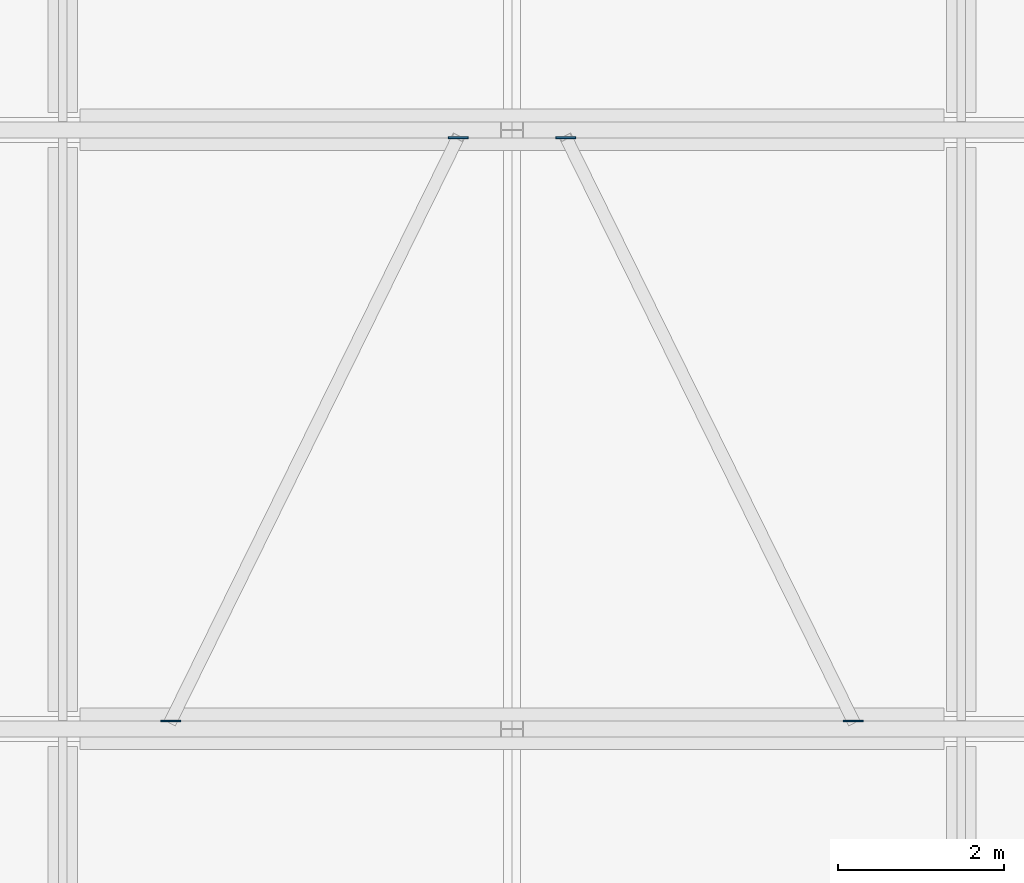
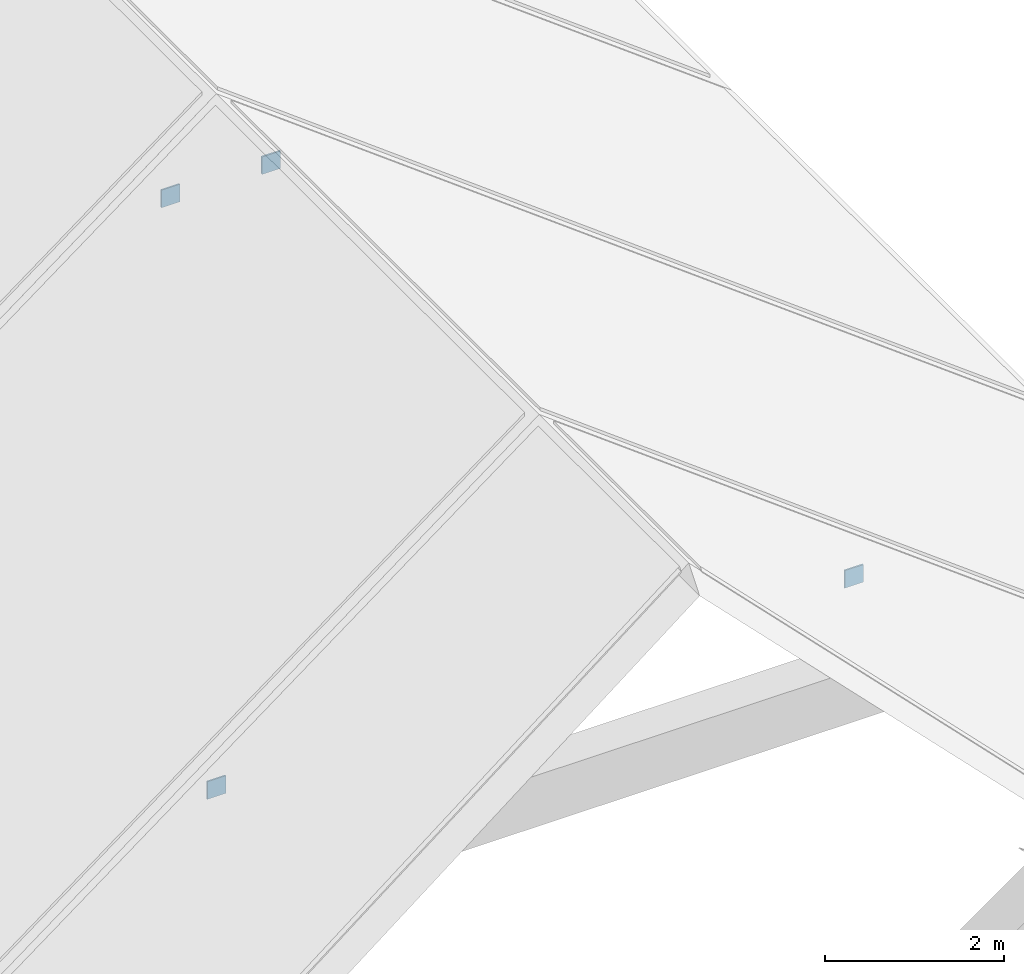
# One storey, part 21 of 35: 4 discrete accessories.
"""IFC4 building model written with IfcOpenShell, lengths in metres."""

from ifc_helpers import new_model, si_unit, derived_unit, direction, frame, origin, origin_2d, place, context, subcontext, project, spatial, rectangle, extrude, material, type_object, element, save


model = new_model("IFC4")

# Units and contexts
model_context = context("Model", 3, precision=1e-05, world=origin(), true_north=direction((0.0, 1.0)))
body_context = subcontext(model_context, "Body", "Model", "MODEL_VIEW")
ifc_project = project(units=[si_unit("LENGTHUNIT", "METRE"), si_unit("AREAUNIT", "SQUARE_METRE"), si_unit("VOLUMEUNIT", "CUBIC_METRE"), si_unit("PLANEANGLEUNIT", "RADIAN"), si_unit("MASSUNIT", "GRAM", prefix="KILO"), derived_unit("THERMALTRANSMITTANCEUNIT", [(si_unit("MASSUNIT", "GRAM", prefix="KILO"), 1), (si_unit("TIMEUNIT", "SECOND"), -3), (si_unit("THERMODYNAMICTEMPERATUREUNIT", "KELVIN"), -1)])], contexts=[model_context])

# Site, building, storey
site_placement = place(None, origin())
site = spatial("IfcSite", under=ifc_project, at=site_placement, CompositionType="ELEMENT")
building_placement = place(site_placement, origin())
building = spatial("IfcBuilding", under=site, at=building_placement, Name="Ochrekiln Boulevard Commons", CompositionType="ELEMENT")
storey_placement = place(building_placement, frame((0.0, 0.0, 30.97509765625)))
storey = spatial("IfcBuildingStorey", under=building, at=storey_placement, Name="L09", CompositionType="ELEMENT", Elevation=30.97509765625)

# Discrete accessories
ifc_material = material(Name="Steel A992 Grade 50", Category="steel")
discrete_accessory_type = type_object("IfcDiscreteAccessoryType", Name="ACC-GUS-PLATE", PredefinedType="BRACKET", material=ifc_material)
for number, where, z_axis, x_axis, name in (
    (1, (6.696044921875, 7.294921875, 0.58642578125), (0.0, 0.0, 1.0), (1.0, 0.0, 0.0), "Block D Brace 2W End Gusset Plate A"),
    (2, (10.152099609375, 14.304931640625, 3.17822265625), (0.0, 0.0, 1.0), (1.0, 0.0, 0.0), "Block D Brace 2W End Gusset Plate B"),
    (3, (14.904052734375, 7.294921875, 0.58642578125), (0.0, 0.0, 1.0), (1.0, 0.0, 0.0), "Block D Brace 2E End Gusset Plate A"),
    (4, (11.447998046875, 14.304931640625, 3.17822265625), (0.0, 0.0, 1.0), (1.0, 0.0, 0.0), "Block D Brace 2E End Gusset Plate B"),
):
    element("IfcDiscreteAccessory", number, at=place(storey_placement, frame(where, z_axis=z_axis, x_axis=x_axis)), inside=storey, type_object=discrete_accessory_type, Name=name, PredefinedType="BRACKET", context=body_context, shape_type="SweptSolid", body=[
        extrude(rectangle(XDim=0.239990234375, YDim=0.02001953125, at=origin_2d()), origin(), (0.0, 0.0, 1.0), 0.239990234375),
    ])

save(model, "model.ifc")
